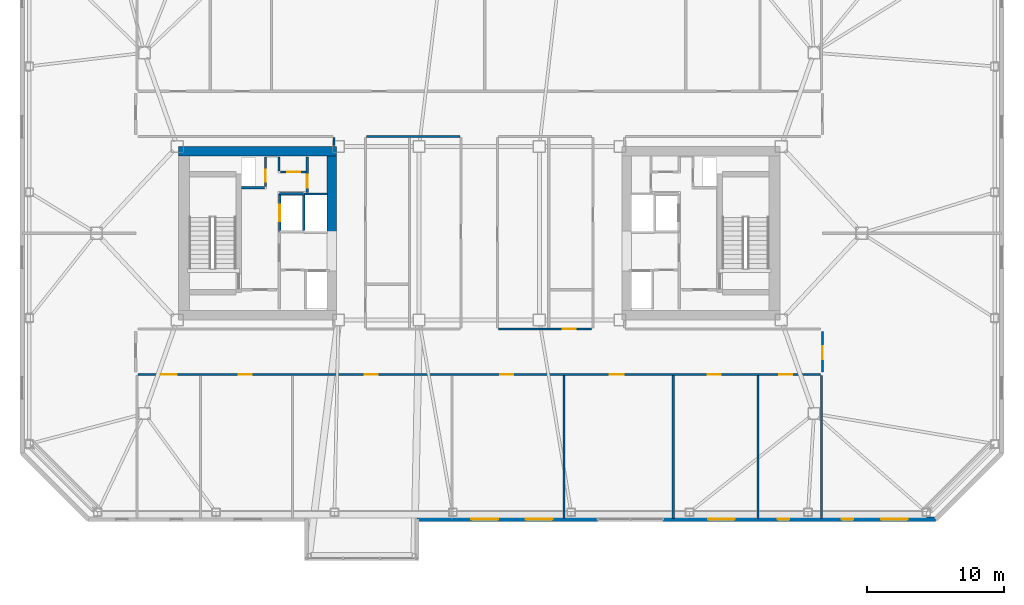
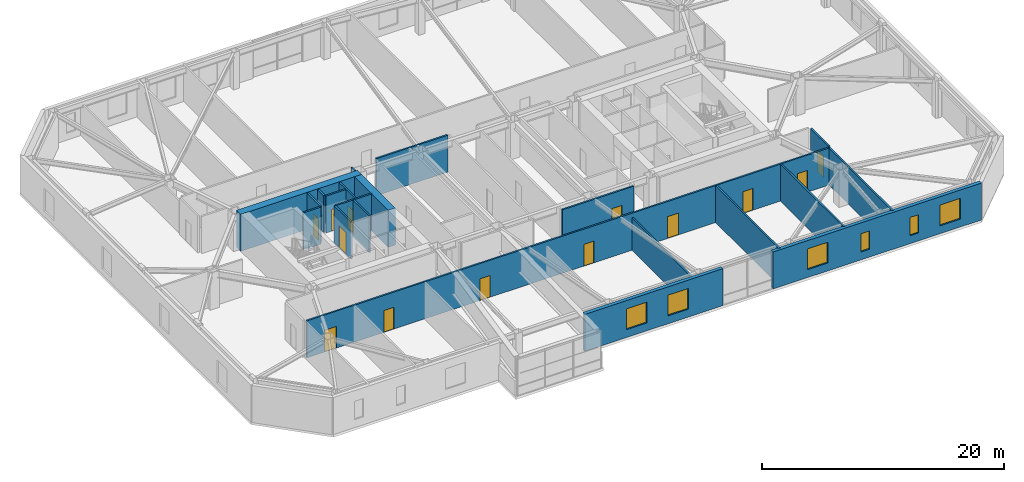
# One storey, part 12 of 19: 22 walls, 13 doors, 6 windows, 19 openings.
"""IFC4 building model written with IfcOpenShell, lengths in metres."""

from ifc_helpers import new_model, si_unit, direction, frame, frame_2d, origin, place, context, subcontext, project, spatial, rectangle, extrude, material, layer, layer_set, type_object, element, fill, save


model = new_model("IFC4")

# Units and contexts
model_context = context("Model", 3, precision=1e-05, world=origin(), true_north=direction((0.0, 1.0)))
body_context = subcontext(model_context, "Body", "Model", "MODEL_VIEW")
ifc_project = project(units=[si_unit("LENGTHUNIT", "METRE"), si_unit("AREAUNIT", "SQUARE_METRE"), si_unit("VOLUMEUNIT", "CUBIC_METRE"), si_unit("PLANEANGLEUNIT", "RADIAN"), si_unit("MASSUNIT", "GRAM", prefix="KILO")], contexts=[model_context])

# Site, building, storey
site_placement = place(None, origin())
site = spatial("IfcSite", under=ifc_project, at=site_placement, CompositionType="ELEMENT")
building_placement = place(site_placement, origin())
building = spatial("IfcBuilding", under=site, at=building_placement, Name="Tavrogorsk Clinical Tower", CompositionType="ELEMENT")
storey_placement = place(building_placement, frame((0.0, 0.0, 156.199951171875)))
storey = spatial("IfcBuildingStorey", under=building, at=storey_placement, Name="L35", CompositionType="ELEMENT", Elevation=156.199951171875)

# Wall, opening, door
ifc_material_1 = material(Name="Lightweight concrete blockwork B15", Category="masonry")
ifc_layer_1 = layer(ifc_material_1, 0.159912109375)
ifc_layer_set_1 = layer_set([ifc_layer_1], Name="Lightweight concrete blockwork B15")
wall_type_1 = type_object("IfcWallType", Name="PartitionWall_160", PredefinedType="PARTITIONING", material=ifc_layer_set_1)
wall_1_placement = place(storey_placement, frame((-12.580078125, 2.9599609375, 0.0), z_axis=(0.0, 0.0, 1.0), x_axis=(0.0, 1.0, 0.0)))
wall_1 = element("IfcWall", 1, at=wall_1_placement, inside=storey, type_object=wall_type_1, Name="L35 Core West Linen Closet Wall", PredefinedType="PARTITIONING", context=body_context, shape_type="SweptSolid", body=[
    extrude(rectangle(XDim=2.60009765625, YDim=0.159912109375, at=frame_2d((1.300048828125, 0.0))), origin(), (0.0, 0.0, 1.0), 3.739990234375),
])
opening_1_placement = place(wall_1_placement, frame((0.35009765625, 0.0, 0.0)))
opening_1 = element("IfcOpeningElement", 2, at=opening_1_placement, cuts=wall_1, Name="Opening ID-02", PredefinedType="OPENING", context=body_context, shape_type="SweptSolid", body=[
    extrude(rectangle(XDim=0.949951171875, YDim=2.199951171875, at=frame_2d((0.47509765625, 1.10009765625))), frame((0.0, 0.08984375, 0.0), z_axis=(0.0, -1.0, 0.0), x_axis=(1.0, 0.0, 0.0)), (0.0, 0.0, 1.0), 0.179931640625),
])
ifc_material_2 = material(Name="Laminated timber leaf on aluminium frame", Category="wood")
door_type_1 = type_object("IfcDoorType", Name="InteriorDoor_ID02_950", OperationType="NOTDEFINED", PredefinedType="DOOR", material=ifc_material_2)
door_1_placement = place(opening_1_placement, origin())
door_1 = element("IfcDoor", 3, at=door_1_placement, inside=storey, type_object=door_type_1, Name="L35 Core West Linen Closet Door", OperationType="SINGLE_SWING_RIGHT", OverallHeight=2.199951171875, OverallWidth=0.949951171875, PredefinedType="DOOR", context=body_context, shape_type="SweptSolid", body=[
    extrude(rectangle(XDim=0.949951171875, YDim=2.199951171875, at=frame_2d((0.47509765625, 1.10009765625))), frame((0.0, 0.02490234375, 0.0), z_axis=(0.0, -1.0, 0.0), x_axis=(1.0, 0.0, 0.0)), (0.0, 0.0, 1.0), 0.050048828125),
])
fill(opening_1, door_1)

wall_2_placement = place(storey_placement, frame((-14.554931640625, 4.47998046875, 0.0), z_axis=(0.0, 0.0, 1.0), x_axis=(1.0, 0.0, 0.0)))
wall_2 = element("IfcWall", 4, at=wall_2_placement, inside=storey, type_object=wall_type_1, Name="L35 Core West Housekeeping South Wall", PredefinedType="PARTITIONING", context=body_context, shape_type="SweptSolid", body=[
    extrude(rectangle(XDim=1.889892578125, YDim=0.159912109375, at=frame_2d((0.94482421875, 0.0))), origin(), (0.0, 0.0, 1.0), 3.739990234375),
])
opening_2_placement = place(wall_2_placement, frame((0.5, 0.0, 0.0)))
opening_2 = element("IfcOpeningElement", 5, at=opening_2_placement, cuts=wall_2, Name="Opening ID-02", PredefinedType="OPENING", context=body_context, shape_type="SweptSolid", body=[
    extrude(rectangle(XDim=0.949951171875, YDim=2.199951171875, at=frame_2d((0.47509765625, 1.10009765625))), frame((0.0, 0.08984375, 0.0), z_axis=(0.0, -1.0, 0.0), x_axis=(1.0, 0.0, 0.0)), (0.0, 0.0, 1.0), 0.179931640625),
])
door_2_placement = place(opening_2_placement, origin())
door_2 = element("IfcDoor", 6, at=door_2_placement, inside=storey, type_object=door_type_1, Name="L35 Core West Housekeeping Closet Door", OperationType="SINGLE_SWING_LEFT", OverallHeight=2.199951171875, OverallWidth=0.949951171875, PredefinedType="DOOR", context=body_context, shape_type="SweptSolid", body=[
    extrude(rectangle(XDim=0.949951171875, YDim=2.199951171875, at=frame_2d((0.47509765625, 1.10009765625))), frame((0.0, 0.02490234375, 0.0), z_axis=(0.0, -1.0, 0.0), x_axis=(1.0, 0.0, 0.0)), (0.0, 0.0, 1.0), 0.050048828125),
])
fill(opening_2, door_2)

# Walls
wall_3_placement = place(storey_placement, frame((-14.639892578125, 4.56494140625, 0.0), z_axis=(0.0, 0.0, 1.0), x_axis=(0.0, 1.0, 0.0)))
element("IfcWall", 7, at=wall_3_placement, inside=storey, type_object=wall_type_1, Name="L35 Core West Housekeeping East Wall", PredefinedType="PARTITIONING", context=body_context, shape_type="SweptSolid", body=[
    extrude(rectangle(XDim=0.9951171875, YDim=0.159912109375, at=frame_2d((0.49755859375, 0.0))), origin(), (0.0, 0.0, 1.0), 3.739990234375),
])
wall_4_placement = place(storey_placement, frame((-10.6298828125, 6.419921875, 0.0), z_axis=(0.0, 0.0, 1.0), x_axis=(0.0, 1.0, 0.0)))
element("IfcWall", 8, at=wall_4_placement, inside=storey, type_object=wall_type_1, Name="L35 Corridor Partition 04", PredefinedType="PARTITIONING", context=body_context, shape_type="SweptSolid", body=[
    extrude(rectangle(XDim=0.565185546875, YDim=0.159912109375, at=frame_2d((0.28271484375, 0.0))), origin(), (0.0, 0.0, 1.0), 3.739990234375),
])

# Wall, opening, door
wall_5_placement = place(storey_placement, frame((25.1298828125, -7.18505859375, 0.0), z_axis=(0.0, 0.0, 1.0), x_axis=(0.0, -1.0, 0.0)))
wall_5 = element("IfcWall", 9, at=wall_5_placement, inside=storey, type_object=wall_type_1, Name="L35 Corridor Partition 13", PredefinedType="PARTITIONING", context=body_context, shape_type="SweptSolid", body=[
    extrude(rectangle(XDim=2.97998046875, YDim=0.159912109375, at=frame_2d((1.489990234375, 0.0))), origin(), (0.0, 0.0, 1.0), 3.739990234375),
])
opening_3_placement = place(wall_5_placement, frame((1.10009765625, 0.0, 0.0)))
opening_3 = element("IfcOpeningElement", 10, at=opening_3_placement, cuts=wall_5, Name="Opening ID-02", PredefinedType="OPENING", context=body_context, shape_type="SweptSolid", body=[
    extrude(rectangle(XDim=0.949951171875, YDim=2.199951171875, at=frame_2d((0.47509765625, 1.10009765625))), frame((0.0, 0.08984375, 0.0), z_axis=(0.0, -1.0, 0.0), x_axis=(1.0, 0.0, 0.0)), (0.0, 0.0, 1.0), 0.179931640625),
])
door_3_placement = place(opening_3_placement, origin())
door_3 = element("IfcDoor", 11, at=door_3_placement, inside=storey, type_object=door_type_1, Name="L35 E Senior Clinician Suite 1 Door", OperationType="SINGLE_SWING_RIGHT", OverallHeight=2.199951171875, OverallWidth=0.949951171875, PredefinedType="DOOR", context=body_context, shape_type="SweptSolid", body=[
    extrude(rectangle(XDim=0.949951171875, YDim=2.199951171875, at=frame_2d((0.47509765625, 1.10009765625))), frame((0.0, 0.02490234375, 0.0), z_axis=(0.0, -1.0, 0.0), x_axis=(1.0, 0.0, 0.0)), (0.0, 0.0, 1.0), 0.050048828125),
])
fill(opening_3, door_3)

# Wall, openings, doors
wall_6_placement = place(storey_placement, frame((24.965087890625, -10.330078125, 0.0), z_axis=(0.0, 0.0, 1.0), x_axis=(-1.0, 0.0, 0.0)))
wall_6 = element("IfcWall", 12, at=wall_6_placement, inside=storey, type_object=wall_type_1, Name="L35 Corridor Partition 14", PredefinedType="PARTITIONING", context=body_context, shape_type="SweptSolid", body=[
    extrude(rectangle(XDim=49.93017578125, YDim=0.159912109375, at=frame_2d((24.965087890625, 0.0))), origin(), (0.0, 0.0, 1.0), 3.739990234375),
])
opening_4_placement = place(wall_6_placement, frame((47.10595703125, 0.0, 0.0)))
opening_4 = element("IfcOpeningElement", 13, at=opening_4_placement, cuts=wall_6, Name="Opening ID-06", PredefinedType="OPENING", context=body_context, shape_type="SweptSolid", body=[
    extrude(rectangle(XDim=1.14990234375, YDim=2.199951171875, at=frame_2d((0.574951171875, 1.10009765625))), frame((0.0, 0.08984375, 0.0), z_axis=(0.0, -1.0, 0.0), x_axis=(1.0, 0.0, 0.0)), (0.0, 0.0, 1.0), 0.179931640625),
])
opening_5_placement = place(wall_6_placement, frame((41.60009765625, 0.0, 0.0)))
opening_5 = element("IfcOpeningElement", 14, at=opening_5_placement, cuts=wall_6, Name="Opening ID-02", PredefinedType="OPENING", context=body_context, shape_type="SweptSolid", body=[
    extrude(rectangle(XDim=0.949951171875, YDim=2.199951171875, at=frame_2d((0.47509765625, 1.10009765625))), frame((0.0, 0.08984375, 0.0), z_axis=(0.0, -1.0, 0.0), x_axis=(1.0, 0.0, 0.0)), (0.0, 0.0, 1.0), 0.179931640625),
])
opening_6_placement = place(wall_6_placement, frame((32.39990234375, 0.0, 0.0)))
opening_6 = element("IfcOpeningElement", 15, at=opening_6_placement, cuts=wall_6, Name="Opening ID-02", PredefinedType="OPENING", context=body_context, shape_type="SweptSolid", body=[
    extrude(rectangle(XDim=0.949951171875, YDim=2.199951171875, at=frame_2d((0.47509765625, 1.10009765625))), frame((0.0, 0.08984375, 0.0), z_axis=(0.0, -1.0, 0.0), x_axis=(1.0, 0.0, 0.0)), (0.0, 0.0, 1.0), 0.179931640625),
])
opening_7_placement = place(wall_6_placement, frame((22.47509765625, 0.0, 0.0)))
opening_7 = element("IfcOpeningElement", 16, at=opening_7_placement, cuts=wall_6, Name="Opening ID-02", PredefinedType="OPENING", context=body_context, shape_type="SweptSolid", body=[
    extrude(rectangle(XDim=0.949951171875, YDim=2.199951171875, at=frame_2d((0.47509765625, 1.10009765625))), frame((0.0, 0.08984375, 0.0), z_axis=(0.0, -1.0, 0.0), x_axis=(1.0, 0.0, 0.0)), (0.0, 0.0, 1.0), 0.179931640625),
])
opening_8_placement = place(wall_6_placement, frame((14.375, 0.0, 0.0)))
opening_8 = element("IfcOpeningElement", 17, at=opening_8_placement, cuts=wall_6, Name="Opening ID-04", PredefinedType="OPENING", context=body_context, shape_type="SweptSolid", body=[
    extrude(rectangle(XDim=1.050048828125, YDim=2.199951171875, at=frame_2d((0.52490234375, 1.10009765625))), frame((0.0, 0.08984375, 0.0), z_axis=(0.0, -1.0, 0.0), x_axis=(1.0, 0.0, 0.0)), (0.0, 0.0, 1.0), 0.179931640625),
])
opening_9_placement = place(wall_6_placement, frame((7.27490234375, 0.0, 0.0)))
opening_9 = element("IfcOpeningElement", 18, at=opening_9_placement, cuts=wall_6, Name="Opening ID-02", PredefinedType="OPENING", context=body_context, shape_type="SweptSolid", body=[
    extrude(rectangle(XDim=0.949951171875, YDim=2.199951171875, at=frame_2d((0.47509765625, 1.10009765625))), frame((0.0, 0.08984375, 0.0), z_axis=(0.0, -1.0, 0.0), x_axis=(1.0, 0.0, 0.0)), (0.0, 0.0, 1.0), 0.179931640625),
])
opening_10_placement = place(wall_6_placement, frame((2.044189453125, 0.0, 0.0)))
opening_10 = element("IfcOpeningElement", 19, at=opening_10_placement, cuts=wall_6, Name="Opening ID-02", PredefinedType="OPENING", context=body_context, shape_type="SweptSolid", body=[
    extrude(rectangle(XDim=0.949951171875, YDim=2.199951171875, at=frame_2d((0.47509765625, 1.10009765625))), frame((0.0, 0.08984375, 0.0), z_axis=(0.0, -1.0, 0.0), x_axis=(1.0, 0.0, 0.0)), (0.0, 0.0, 1.0), 0.179931640625),
])
ifc_material_3 = material(Name="Antibacterial HPL consultation door on aluminium frame", Category="aluminium")
door_type_2 = type_object("IfcDoorType", Name="ConsultDoor_ID04_1050", OperationType="NOTDEFINED", PredefinedType="DOOR", material=ifc_material_3)
door_4_placement = place(opening_8_placement, origin())
door_4 = element("IfcDoor", 20, at=door_4_placement, inside=storey, type_object=door_type_2, Name="L35 South Biomedical Teaching Archive Store 05 Door", OperationType="SINGLE_SWING_LEFT", OverallHeight=2.199951171875, OverallWidth=1.050048828125, PredefinedType="DOOR", context=body_context, shape_type="SweptSolid", body=[
    extrude(rectangle(XDim=1.050048828125, YDim=2.199951171875, at=frame_2d((0.52490234375, 1.10009765625))), frame((0.0, 0.02490234375, 0.0), z_axis=(0.0, -1.0, 0.0), x_axis=(1.0, 0.0, 0.0)), (0.0, 0.0, 1.0), 0.050048828125),
])
fill(opening_8, door_4)
door_5_placement = place(opening_5_placement, origin())
door_5 = element("IfcDoor", 21, at=door_5_placement, inside=storey, type_object=door_type_1, Name="L35 South Clinical Informatics Research Office 02 Door", OperationType="SINGLE_SWING_RIGHT", OverallHeight=2.199951171875, OverallWidth=0.949951171875, PredefinedType="DOOR", context=body_context, shape_type="SweptSolid", body=[
    extrude(rectangle(XDim=0.949951171875, YDim=2.199951171875, at=frame_2d((0.47509765625, 1.10009765625))), frame((0.0, 0.02490234375, 0.0), z_axis=(0.0, -1.0, 0.0), x_axis=(1.0, 0.0, 0.0)), (0.0, 0.0, 1.0), 0.050048828125),
])
fill(opening_5, door_5)
door_6_placement = place(opening_6_placement, origin())
door_6 = element("IfcDoor", 22, at=door_6_placement, inside=storey, type_object=door_type_1, Name="L35 South Biomedical Teaching Archive Store 03 Door", OperationType="SINGLE_SWING_LEFT", OverallHeight=2.199951171875, OverallWidth=0.949951171875, PredefinedType="DOOR", context=body_context, shape_type="SweptSolid", body=[
    extrude(rectangle(XDim=0.949951171875, YDim=2.199951171875, at=frame_2d((0.47509765625, 1.10009765625))), frame((0.0, 0.02490234375, 0.0), z_axis=(0.0, -1.0, 0.0), x_axis=(1.0, 0.0, 0.0)), (0.0, 0.0, 1.0), 0.050048828125),
])
fill(opening_6, door_6)
door_7_placement = place(opening_7_placement, origin())
door_7 = element("IfcDoor", 23, at=door_7_placement, inside=storey, type_object=door_type_1, Name="L35 South Clinical Informatics Research Office 04 Door", OperationType="SINGLE_SWING_RIGHT", OverallHeight=2.199951171875, OverallWidth=0.949951171875, PredefinedType="DOOR", context=body_context, shape_type="SweptSolid", body=[
    extrude(rectangle(XDim=0.949951171875, YDim=2.199951171875, at=frame_2d((0.47509765625, 1.10009765625))), frame((0.0, 0.02490234375, 0.0), z_axis=(0.0, -1.0, 0.0), x_axis=(1.0, 0.0, 0.0)), (0.0, 0.0, 1.0), 0.050048828125),
])
fill(opening_7, door_7)
door_8_placement = place(opening_9_placement, origin())
door_8 = element("IfcDoor", 24, at=door_8_placement, inside=storey, type_object=door_type_1, Name="L35 South Clinical Informatics Research Office 06 Door", OperationType="SINGLE_SWING_RIGHT", OverallHeight=2.199951171875, OverallWidth=0.949951171875, PredefinedType="DOOR", context=body_context, shape_type="SweptSolid", body=[
    extrude(rectangle(XDim=0.949951171875, YDim=2.199951171875, at=frame_2d((0.47509765625, 1.10009765625))), frame((0.0, 0.02490234375, 0.0), z_axis=(0.0, -1.0, 0.0), x_axis=(1.0, 0.0, 0.0)), (0.0, 0.0, 1.0), 0.050048828125),
])
fill(opening_9, door_8)
door_9_placement = place(opening_10_placement, origin())
door_9 = element("IfcDoor", 25, at=door_9_placement, inside=storey, type_object=door_type_1, Name="L35 South Biomedical Teaching Archive Store 07 Door", OperationType="SINGLE_SWING_LEFT", OverallHeight=2.199951171875, OverallWidth=0.949951171875, PredefinedType="DOOR", context=body_context, shape_type="SweptSolid", body=[
    extrude(rectangle(XDim=0.949951171875, YDim=2.199951171875, at=frame_2d((0.47509765625, 1.10009765625))), frame((0.0, 0.02490234375, 0.0), z_axis=(0.0, -1.0, 0.0), x_axis=(1.0, 0.0, 0.0)), (0.0, 0.0, 1.0), 0.050048828125),
])
fill(opening_10, door_9)
ifc_material_4 = material(Name="Antibacterial HPL procedure door on aluminium frame", Category="aluminium")
door_type_3 = type_object("IfcDoorType", Name="LabDoor_ID06_1150", OperationType="NOTDEFINED", PredefinedType="DOOR", material=ifc_material_4)
door_10_placement = place(opening_4_placement, origin())
door_10 = element("IfcDoor", 26, at=door_10_placement, inside=storey, type_object=door_type_3, Name="L35 South Biomedical Teaching Archive Store 01 Door", OperationType="SINGLE_SWING_LEFT", OverallHeight=2.199951171875, OverallWidth=1.14990234375, PredefinedType="DOOR", context=body_context, shape_type="SweptSolid", body=[
    extrude(rectangle(XDim=1.14990234375, YDim=2.199951171875, at=frame_2d((0.574951171875, 1.10009765625))), frame((0.0, 0.02490234375, 0.0), z_axis=(0.0, -1.0, 0.0), x_axis=(1.0, 0.0, 0.0)), (0.0, 0.0, 1.0), 0.050048828125),
])
fill(opening_4, door_10)

# Wall, opening, door
wall_7_placement = place(storey_placement, frame((1.4150390625, -7.02001953125, 0.0), z_axis=(0.0, 0.0, 1.0), x_axis=(1.0, 0.0, 0.0)))
wall_7 = element("IfcWall", 27, at=wall_7_placement, inside=storey, type_object=wall_type_1, Name="L35 Corridor Partition 17", PredefinedType="PARTITIONING", context=body_context, shape_type="SweptSolid", body=[
    extrude(rectangle(XDim=6.820068359375, YDim=0.159912109375, at=frame_2d((3.41015625, 0.0))), origin(), (0.0, 0.0, 1.0), 3.739990234375),
])
opening_11_placement = place(wall_7_placement, frame((4.7109375, 0.0, 0.0)))
opening_11 = element("IfcOpeningElement", 28, at=opening_11_placement, cuts=wall_7, Name="Opening ID-02", PredefinedType="OPENING", context=body_context, shape_type="SweptSolid", body=[
    extrude(rectangle(XDim=0.949951171875, YDim=2.199951171875, at=frame_2d((0.47509765625, 1.10009765625))), frame((0.0, 0.08984375, 0.0), z_axis=(0.0, -1.0, 0.0), x_axis=(1.0, 0.0, 0.0)), (0.0, 0.0, 1.0), 0.179931640625),
])
door_11_placement = place(opening_11_placement, origin())
door_11 = element("IfcDoor", 29, at=door_11_placement, inside=storey, type_object=door_type_1, Name="L35 Staff & Visitor Accessible WC Door", OperationType="SINGLE_SWING_RIGHT", OverallHeight=2.199951171875, OverallWidth=0.949951171875, PredefinedType="DOOR", context=body_context, shape_type="SweptSolid", body=[
    extrude(rectangle(XDim=0.949951171875, YDim=2.199951171875, at=frame_2d((0.47509765625, 1.10009765625))), frame((0.0, 0.02490234375, 0.0), z_axis=(0.0, -1.0, 0.0), x_axis=(1.0, 0.0, 0.0)), (0.0, 0.0, 1.0), 0.050048828125),
])
fill(opening_11, door_11)

# Walls
wall_8_placement = place(storey_placement, frame((-1.4150390625, 7.070068359375, 0.0), z_axis=(0.0, 0.0, 1.0), x_axis=(-1.0, 0.0, 0.0)))
element("IfcWall", 30, at=wall_8_placement, inside=storey, type_object=wall_type_1, Name="L35 Corridor Partition 20", PredefinedType="PARTITIONING", context=body_context, shape_type="SweptSolid", body=[
    extrude(rectangle(XDim=6.820068359375, YDim=0.159912109375, at=frame_2d((3.41015625, 0.0))), origin(), (0.0, 0.0, 1.0), 3.739990234375),
])
wall_9_placement = place(storey_placement, frame((25.050048828125, -20.860107421875, 0.0), z_axis=(0.0, 0.0, 1.0), x_axis=(0.0, 1.0, 0.0)))
element("IfcWall", 31, at=wall_9_placement, inside=storey, type_object=wall_type_1, Name="L35 SE Wing Closure Partition", PredefinedType="PARTITIONING", context=body_context, shape_type="SweptSolid", body=[
    extrude(rectangle(XDim=10.445068359375, YDim=0.159912109375, at=frame_2d((5.22265625, 0.0))), origin(), (0.0, 0.0, 1.0), 3.739990234375),
])
wall_10_placement = place(storey_placement, frame((6.199951171875, -20.860107421875, 0.0), z_axis=(0.0, 0.0, 1.0), x_axis=(0.0, 1.0, 0.0)))
element("IfcWall", 32, at=wall_10_placement, inside=storey, type_object=wall_type_1, Name="L35 South Room Partition 4", PredefinedType="PARTITIONING", context=body_context, shape_type="SweptSolid", body=[
    extrude(rectangle(XDim=10.445068359375, YDim=0.159912109375, at=frame_2d((5.22265625, 0.0))), origin(), (0.0, 0.0, 1.0), 3.28515625),
])
for number, where, z_axis, x_axis, name in (
    (33, (14.199951171875, -20.860107421875, 0.0), (0.0, 0.0, 1.0), (0.0, 1.0, 0.0), "L35 South Room Partition 5"),
    (34, (20.39990234375, -20.860107421875, 0.0), (0.0, 0.0, 1.0), (0.0, 1.0, 0.0), "L35 South Room Partition 6"),
):
    element("IfcWall", number, at=place(storey_placement, frame(where, z_axis=z_axis, x_axis=x_axis)), inside=storey, type_object=wall_type_1, Name=name, PredefinedType="PARTITIONING", context=body_context, shape_type="SweptSolid", body=[
        extrude(rectangle(XDim=10.445068359375, YDim=0.159912109375, at=frame_2d((5.22265625, 0.0))), origin(), (0.0, 0.0, 1.0), 3.739990234375),
    ])

# Wall, openings, windows
ifc_material_5 = material(Name="Precast concrete B45 with limestone cladding", Category="masonry")
ifc_layer_2 = layer(ifc_material_5, 0.340087890625)
ifc_layer_set_2 = layer_set([ifc_layer_2], Name="Precast concrete B45 with limestone cladding")
wall_type_2 = type_object("IfcWallType", Name="PrecastLimestoneWall_340", PredefinedType="STANDARD", material=ifc_layer_set_2)
wall_11_placement = place(storey_placement, frame((-4.550048828125, -20.929931640625, 0.0), z_axis=(0.0, 0.0, 1.0), x_axis=(1.0, 0.0, 0.0)))
wall_11 = element("IfcWall", 35, at=wall_11_placement, inside=storey, type_object=wall_type_2, Name="L35 S Limestone Facade Wall 2", PredefinedType="STANDARD", context=body_context, shape_type="SweptSolid", body=[
    extrude(rectangle(XDim=13.212890625, YDim=0.340087890625, at=frame_2d((6.6064453125, 0.0))), origin(), (0.0, 0.0, 1.0), 3.739990234375),
])
opening_12_placement = place(wall_11_placement, frame((3.982666015625, 0.0, 0.800048828125)))
opening_12 = element("IfcOpeningElement", 36, at=opening_12_placement, cuts=wall_11, Name="Opening WN-13", PredefinedType="OPENING", context=body_context, shape_type="SweptSolid", body=[
    extrude(rectangle(XDim=1.949951171875, YDim=2.10009765625, at=frame_2d((0.97509765625, 1.050048828125))), frame((0.0, 0.179931640625, 0.0), z_axis=(0.0, -1.0, 0.0), x_axis=(1.0, 0.0, 0.0)), (0.0, 0.0, 1.0), 0.360107421875),
])
opening_13_placement = place(wall_11_placement, frame((7.96728515625, 0.0, 0.800048828125)))
opening_13 = element("IfcOpeningElement", 37, at=opening_13_placement, cuts=wall_11, Name="Opening WN-13", PredefinedType="OPENING", context=body_context, shape_type="SweptSolid", body=[
    extrude(rectangle(XDim=1.949951171875, YDim=2.10009765625, at=frame_2d((0.97509765625, 1.050048828125))), frame((0.0, 0.179931640625, 0.0), z_axis=(0.0, -1.0, 0.0), x_axis=(1.0, 0.0, 0.0)), (0.0, 0.0, 1.0), 0.360107421875),
])
ifc_material_6 = material(Name="Thermally broken aluminium frame and triple IGU", Category="aluminium")
window_type_1 = type_object("IfcWindowType", Name="ExamRoomWin_1950x2100", PartitioningType="DOUBLE_PANEL_VERTICAL", PredefinedType="WINDOW", material=ifc_material_6)
window_1_placement = place(opening_12_placement, origin())
window_1 = element("IfcWindow", 38, at=window_1_placement, inside=storey, type_object=window_type_1, Name="L35 S Chicago Window 05", OverallHeight=2.10009765625, OverallWidth=1.949951171875, PartitioningType="SINGLE_PANEL", PredefinedType="WINDOW", context=body_context, shape_type="SweptSolid", body=[
    extrude(rectangle(XDim=1.949951171875, YDim=2.10009765625, at=frame_2d((0.97509765625, 1.050048828125))), frame((0.0, 0.030029296875, 0.0), z_axis=(0.0, -1.0, 0.0), x_axis=(1.0, 0.0, 0.0)), (0.0, 0.0, 1.0), 0.06005859375),
])
fill(opening_12, window_1)
window_2_placement = place(opening_13_placement, origin())
window_2 = element("IfcWindow", 39, at=window_2_placement, inside=storey, type_object=window_type_1, Name="L35 S Chicago Window 06", OverallHeight=2.10009765625, OverallWidth=1.949951171875, PartitioningType="SINGLE_PANEL", PredefinedType="WINDOW", context=body_context, shape_type="SweptSolid", body=[
    extrude(rectangle(XDim=1.949951171875, YDim=2.10009765625, at=frame_2d((0.97509765625, 1.050048828125))), frame((0.0, 0.030029296875, 0.0), z_axis=(0.0, -1.0, 0.0), x_axis=(1.0, 0.0, 0.0)), (0.0, 0.0, 1.0), 0.06005859375),
])
fill(opening_13, window_2)

wall_12_placement = place(storey_placement, frame((13.462890625, -20.929931640625, 0.0), z_axis=(0.0, 0.0, 1.0), x_axis=(1.0, 0.0, 0.0)))
wall_12 = element("IfcWall", 40, at=wall_12_placement, inside=storey, type_object=wall_type_2, Name="L35 S Limestone Facade Wall 3", PredefinedType="STANDARD", context=body_context, shape_type="SweptSolid", body=[
    extrude(rectangle(XDim=19.93701171875, YDim=0.340087890625, at=frame_2d((9.968505859375, 0.0))), origin(), (0.0, 0.0, 1.0), 3.739990234375),
])
opening_14_placement = place(wall_12_placement, frame((3.29541015625, 0.0, 0.800048828125)))
opening_14 = element("IfcOpeningElement", 41, at=opening_14_placement, cuts=wall_12, Name="Opening WN-13", PredefinedType="OPENING", context=body_context, shape_type="SweptSolid", body=[
    extrude(rectangle(XDim=1.949951171875, YDim=2.10009765625, at=frame_2d((0.97509765625, 1.050048828125))), frame((0.0, 0.179931640625, 0.0), z_axis=(0.0, -1.0, 0.0), x_axis=(1.0, 0.0, 0.0)), (0.0, 0.0, 1.0), 0.360107421875),
])
opening_15_placement = place(wall_12_placement, frame((8.38037109375, 0.0, 0.800048828125)))
opening_15 = element("IfcOpeningElement", 42, at=opening_15_placement, cuts=wall_12, Name="Opening WN-06", PredefinedType="OPENING", context=body_context, shape_type="SweptSolid", body=[
    extrude(rectangle(XDim=0.85009765625, YDim=1.85009765625, at=frame_2d((0.425048828125, 0.925048828125))), frame((0.0, 0.179931640625, 0.0), z_axis=(0.0, -1.0, 0.0), x_axis=(1.0, 0.0, 0.0)), (0.0, 0.0, 1.0), 0.360107421875),
])
opening_16_placement = place(wall_12_placement, frame((13.058349609375, 0.0, 0.800048828125)))
opening_16 = element("IfcOpeningElement", 43, at=opening_16_placement, cuts=wall_12, Name="Opening WN-06", PredefinedType="OPENING", context=body_context, shape_type="SweptSolid", body=[
    extrude(rectangle(XDim=0.85009765625, YDim=1.85009765625, at=frame_2d((0.425048828125, 0.925048828125))), frame((0.0, 0.179931640625, 0.0), z_axis=(0.0, -1.0, 0.0), x_axis=(1.0, 0.0, 0.0)), (0.0, 0.0, 1.0), 0.360107421875),
])
opening_17_placement = place(wall_12_placement, frame((15.943115234375, 0.0, 0.800048828125)))
opening_17 = element("IfcOpeningElement", 44, at=opening_17_placement, cuts=wall_12, Name="Opening WN-13", PredefinedType="OPENING", context=body_context, shape_type="SweptSolid", body=[
    extrude(rectangle(XDim=1.949951171875, YDim=2.10009765625, at=frame_2d((0.97509765625, 1.050048828125))), frame((0.0, 0.179931640625, 0.0), z_axis=(0.0, -1.0, 0.0), x_axis=(1.0, 0.0, 0.0)), (0.0, 0.0, 1.0), 0.360107421875),
])
window_3_placement = place(opening_14_placement, origin())
window_3 = element("IfcWindow", 45, at=window_3_placement, inside=storey, type_object=window_type_1, Name="L35 S Chicago Window 07", OverallHeight=2.10009765625, OverallWidth=1.949951171875, PartitioningType="SINGLE_PANEL", PredefinedType="WINDOW", context=body_context, shape_type="SweptSolid", body=[
    extrude(rectangle(XDim=1.949951171875, YDim=2.10009765625, at=frame_2d((0.97509765625, 1.050048828125))), frame((0.0, 0.030029296875, 0.0), z_axis=(0.0, -1.0, 0.0), x_axis=(1.0, 0.0, 0.0)), (0.0, 0.0, 1.0), 0.06005859375),
])
fill(opening_14, window_3)
window_4_placement = place(opening_17_placement, origin())
window_4 = element("IfcWindow", 46, at=window_4_placement, inside=storey, type_object=window_type_1, Name="L35 S Chicago Window 10", OverallHeight=2.10009765625, OverallWidth=1.949951171875, PartitioningType="SINGLE_PANEL", PredefinedType="WINDOW", context=body_context, shape_type="SweptSolid", body=[
    extrude(rectangle(XDim=1.949951171875, YDim=2.10009765625, at=frame_2d((0.97509765625, 1.050048828125))), frame((0.0, 0.030029296875, 0.0), z_axis=(0.0, -1.0, 0.0), x_axis=(1.0, 0.0, 0.0)), (0.0, 0.0, 1.0), 0.06005859375),
])
fill(opening_17, window_4)
ifc_material_7 = material(Name="Thermally broken aluminium frame and triple IGU", Category="aluminium")
window_type_2 = type_object("IfcWindowType", Name="MullionSubWin_850x1850", PartitioningType="SINGLE_PANEL", PredefinedType="WINDOW", material=ifc_material_7)
window_5_placement = place(opening_15_placement, origin())
window_5 = element("IfcWindow", 47, at=window_5_placement, inside=storey, type_object=window_type_2, Name="L35 S Mullion Split Window 08B", OverallHeight=1.85009765625, OverallWidth=0.85009765625, PartitioningType="SINGLE_PANEL", PredefinedType="WINDOW", context=body_context, shape_type="SweptSolid", body=[
    extrude(rectangle(XDim=0.85009765625, YDim=1.85009765625, at=frame_2d((0.425048828125, 0.925048828125))), frame((0.0, 0.030029296875, 0.0), z_axis=(0.0, -1.0, 0.0), x_axis=(1.0, 0.0, 0.0)), (0.0, 0.0, 1.0), 0.06005859375),
])
fill(opening_15, window_5)
window_6_placement = place(opening_16_placement, origin())
window_6 = element("IfcWindow", 48, at=window_6_placement, inside=storey, type_object=window_type_2, Name="L35 S Mullion Split Window 09B", OverallHeight=1.85009765625, OverallWidth=0.85009765625, PartitioningType="SINGLE_PANEL", PredefinedType="WINDOW", context=body_context, shape_type="SweptSolid", body=[
    extrude(rectangle(XDim=0.85009765625, YDim=1.85009765625, at=frame_2d((0.425048828125, 0.925048828125))), frame((0.0, 0.030029296875, 0.0), z_axis=(0.0, -1.0, 0.0), x_axis=(1.0, 0.0, 0.0)), (0.0, 0.0, 1.0), 0.06005859375),
])
fill(opening_16, window_6)

# Wall, opening, door
ifc_material_8 = material(Name="Lightweight concrete blockwork B25", Category="masonry")
ifc_layer_3 = layer(ifc_material_8, 0.159912109375)
ifc_layer_set_3 = layer_set([ifc_layer_3], Name="Lightweight concrete blockwork B25")
wall_type_3 = type_object("IfcWallType", Name="ShaftWall_160", PredefinedType="PARTITIONING", material=ifc_layer_set_3)
wall_13_placement = place(storey_placement, frame((-14.60009765625, 0.1201171875, 0.0), z_axis=(0.0, 0.0, 1.0), x_axis=(0.0, 1.0, 0.0)))
wall_13 = element("IfcWall", 49, at=wall_13_placement, inside=storey, type_object=wall_type_3, Name="L35 FFL-W Firefighting Lift Front Wall", PredefinedType="PARTITIONING", context=body_context, shape_type="SweptSolid", body=[
    extrude(rectangle(XDim=2.739990234375, YDim=0.159912109375, at=frame_2d((1.3701171875, 0.0))), origin(), (0.0, 0.0, 1.0), 3.739990234375),
])
opening_18_placement = place(wall_13_placement, frame((0.77001953125, 0.0, 0.0)))
opening_18 = element("IfcOpeningElement", 50, at=opening_18_placement, cuts=wall_13, Name="Opening LD", PredefinedType="OPENING", context=body_context, shape_type="SweptSolid", body=[
    extrude(rectangle(XDim=1.199951171875, YDim=2.199951171875, at=frame_2d((0.60009765625, 1.10009765625))), frame((0.0, 0.08984375, 0.0), z_axis=(0.0, -1.0, 0.0), x_axis=(1.0, 0.0, 0.0)), (0.0, 0.0, 1.0), 0.179931640625),
])
ifc_material_9 = material(Name="Brushed stainless steel AISI 304 sliding doors", Category="steel")
door_type_4 = type_object("IfcDoorType", Name="LiftLandingDoor_LD_1200", OperationType="SLIDING_TO_LEFT", PredefinedType="DOOR", material=ifc_material_9)
door_12_placement = place(opening_18_placement, origin())
door_12 = element("IfcDoor", 51, at=door_12_placement, inside=storey, type_object=door_type_4, Name="L35 FFL-W Sliding Lift Landing Door", OperationType="SLIDING_TO_LEFT", OverallHeight=2.199951171875, OverallWidth=1.199951171875, PredefinedType="DOOR", context=body_context, shape_type="SweptSolid", body=[
    extrude(rectangle(XDim=1.199951171875, YDim=2.199951171875, at=frame_2d((0.60009765625, 1.10009765625))), frame((0.0, 0.02490234375, 0.0), z_axis=(0.0, -1.0, 0.0), x_axis=(1.0, 0.0, 0.0)), (0.0, 0.0, 1.0), 0.050048828125),
])
fill(opening_18, door_12)

# Walls
wall_14_placement = place(storey_placement, frame((-14.60009765625, 2.8798828125, 0.0), z_axis=(0.0, 0.0, 1.0), x_axis=(1.0, 0.0, 0.0)))
element("IfcWall", 52, at=wall_14_placement, inside=storey, type_object=wall_type_3, Name="L35 FFL-W Shaft North Wall", PredefinedType="PARTITIONING", context=body_context, shape_type="SweptSolid", body=[
    extrude(rectangle(XDim=1.760009765625, YDim=0.159912109375, at=frame_2d((0.8798828125, 0.0))), origin(), (0.0, 0.0, 1.0), 3.739990234375),
])
wall_15_placement = place(storey_placement, frame((-12.840087890625, 0.179931640625, 0.0), z_axis=(0.0, 0.0, 1.0), x_axis=(0.0, 1.0, 0.0)))
element("IfcWall", 53, at=wall_15_placement, inside=storey, type_object=wall_type_3, Name="L35 FFL-W Shaft Back Wall", PredefinedType="PARTITIONING", context=body_context, shape_type="SweptSolid", body=[
    extrude(rectangle(XDim=2.6201171875, YDim=0.159912109375, at=frame_2d((1.31005859375, 0.0))), origin(), (0.0, 0.0, 1.0), 3.739990234375),
])
wall_16_placement = place(storey_placement, frame((-12.820068359375, 2.860107421875, 0.0), z_axis=(0.0, 0.0, 1.0), x_axis=(1.0, 0.0, 0.0)))
element("IfcWall", 54, at=wall_16_placement, inside=storey, type_object=wall_type_3, Name="L35 LP-H1 High-Zone Lift Rear Wall", PredefinedType="PARTITIONING", context=body_context, shape_type="SweptSolid", body=[
    extrude(rectangle(XDim=1.719970703125, YDim=0.159912109375, at=frame_2d((0.85986328125, 0.0))), origin(), (0.0, 0.0, 1.0), 3.739990234375),
])

# Wall, opening, door
wall_17_placement = place(storey_placement, frame((-15.639892578125, 3.405029296875, 0.0), z_axis=(0.0, 0.0, 1.0), x_axis=(0.0, 1.0, 0.0)))
wall_17 = element("IfcWall", 55, at=wall_17_placement, inside=storey, type_object=wall_type_3, Name="L35 Core West Riser West Wall", PredefinedType="PARTITIONING", context=body_context, shape_type="SweptSolid", body=[
    extrude(rectangle(XDim=2.155029296875, YDim=0.159912109375, at=frame_2d((1.07763671875, 0.0))), origin(), (0.0, 0.0, 1.0), 3.739990234375),
])
opening_19_placement = place(wall_17_placement, frame((0.35009765625, 0.0, 0.0)))
opening_19 = element("IfcOpeningElement", 56, at=opening_19_placement, cuts=wall_17, Name="Opening FD-02", PredefinedType="OPENING", context=body_context, shape_type="SweptSolid", body=[
    extrude(rectangle(XDim=0.89990234375, YDim=2.199951171875, at=frame_2d((0.449951171875, 1.10009765625))), frame((0.0, 0.08984375, 0.0), z_axis=(0.0, -1.0, 0.0), x_axis=(1.0, 0.0, 0.0)), (0.0, 0.0, 1.0), 0.179931640625),
])
ifc_material_10 = material(Name="Galvanised steel fire-rated door assembly", Category="steel")
door_type_5 = type_object("IfcDoorType", Name="FireDoor_FD02_900", OperationType="NOTDEFINED", PredefinedType="DOOR", material=ifc_material_10)
door_13_placement = place(opening_19_placement, origin())
door_13 = element("IfcDoor", 57, at=door_13_placement, inside=storey, type_object=door_type_5, Name="L35 Core West Electrical Riser Access Door", OperationType="SINGLE_SWING_LEFT", OverallHeight=2.199951171875, OverallWidth=0.89990234375, PredefinedType="DOOR", context=body_context, shape_type="SweptSolid", body=[
    extrude(rectangle(XDim=0.89990234375, YDim=2.199951171875, at=frame_2d((0.449951171875, 1.10009765625))), frame((0.0, 0.02490234375, 0.0), z_axis=(0.0, -1.0, 0.0), x_axis=(1.0, 0.0, 0.0)), (0.0, 0.0, 1.0), 0.050048828125),
])
fill(opening_19, door_13)

# Walls
wall_18_placement = place(storey_placement, frame((-17.3798828125, 3.320068359375, 0.0), z_axis=(0.0, 0.0, 1.0), x_axis=(1.0, 0.0, 0.0)))
element("IfcWall", 58, at=wall_18_placement, inside=storey, type_object=wall_type_3, Name="L35 Core West Riser South Wall", PredefinedType="PARTITIONING", context=body_context, shape_type="SweptSolid", body=[
    extrude(rectangle(XDim=1.65478515625, YDim=0.159912109375, at=frame_2d((0.827392578125, 0.0))), origin(), (0.0, 0.0, 1.0), 3.739990234375),
])
ifc_material_11 = material(Name="Concrete B80", Category="concrete")
ifc_layer_4 = layer(ifc_material_11, 0.699951171875)
ifc_layer_set_4 = layer_set([ifc_layer_4], Name="Concrete B80")
wall_type_4 = type_object("IfcWallType", Name="ShearWall_700", PredefinedType="SHEAR", material=ifc_layer_set_4)
wall_19_placement = place(storey_placement, frame((-22.0, 6.0, 0.0), z_axis=(0.0, 0.0, 1.0), x_axis=(1.0, 0.0, 0.0)))
element("IfcWall", 59, at=wall_19_placement, inside=storey, type_object=wall_type_4, Name="L35 Core West North Shear Wall", PredefinedType="SHEAR", context=body_context, shape_type="SweptSolid", body=[
    extrude(rectangle(XDim=11.550048828125, YDim=0.699951171875, at=frame_2d((5.77490234375, 0.0))), origin(), (0.0, 0.0, 1.0), 3.739990234375),
])
wall_20_placement = place(storey_placement, frame((-10.800048828125, 0.050048828125, 0.0), z_axis=(0.0, 0.0, 1.0), x_axis=(0.0, 1.0, 0.0)))
element("IfcWall", 60, at=wall_20_placement, inside=storey, type_object=wall_type_4, Name="L35 Core West Inner North Pier", PredefinedType="SHEAR", context=body_context, shape_type="SweptSolid", body=[
    extrude(rectangle(XDim=5.599853515625, YDim=0.699951171875, at=frame_2d((2.7998046875, 0.0))), origin(), (0.0, 0.0, 1.0), 3.739990234375),
])

save(model, "model.ifc")
